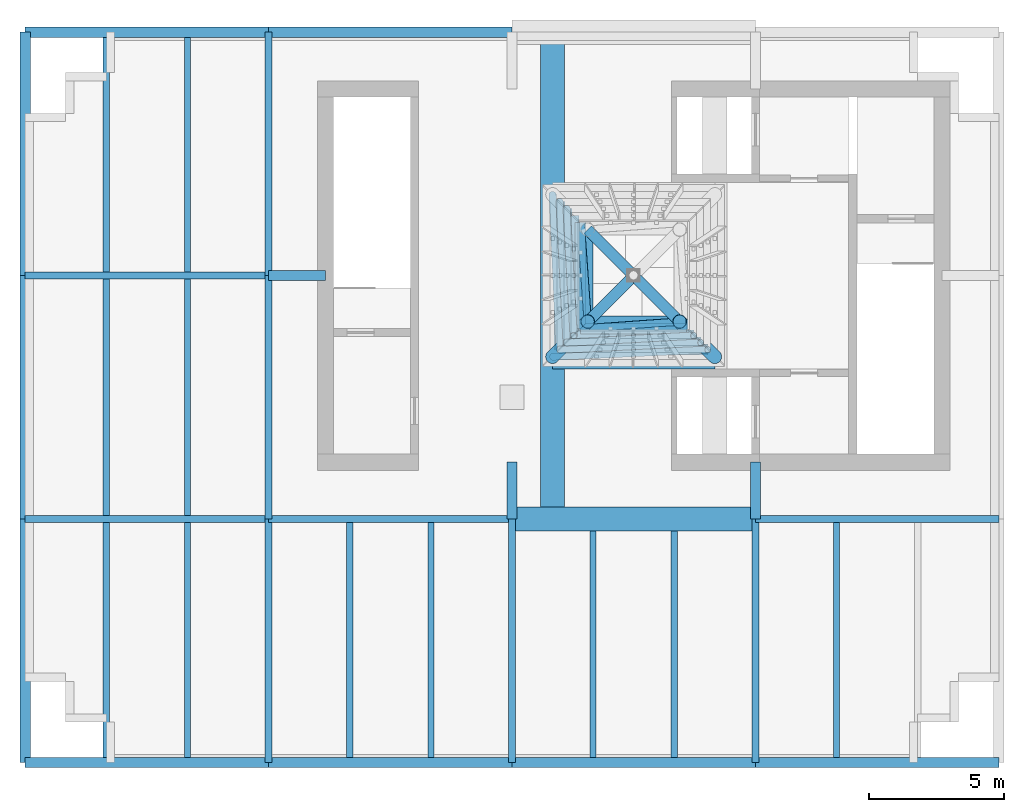
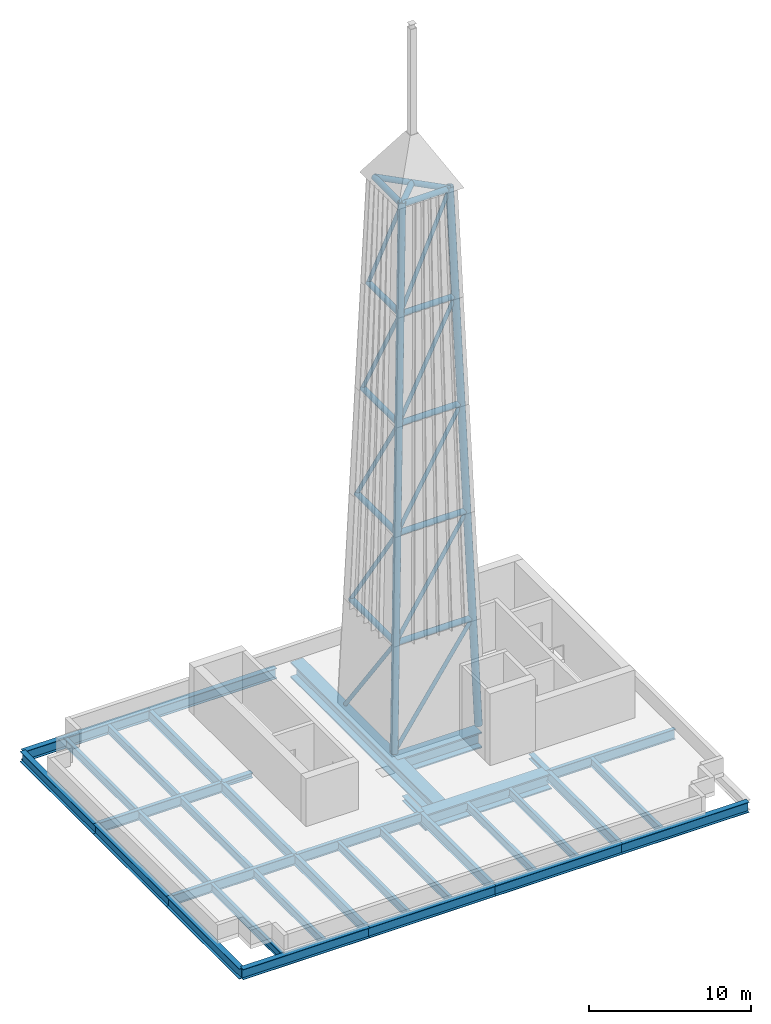
# One storey, part 1 of 8: 32 beams, 28 members.
"""IFC4 building model written with IfcOpenShell, lengths in metres."""

from ifc_helpers import new_model, si_unit, direction, frame, origin, origin_2d, place, context, subcontext, project, spatial, hollow_circle, i_section, extrude, material, material_profile, profile_set, type_object, element, save


model = new_model("IFC4")

# Units and contexts
model_context = context("Model", 3, precision=1e-05, world=origin(), true_north=direction((0.0, 1.0)))
body_context = subcontext(model_context, "Body", "Model", "MODEL_VIEW")
ifc_project = project(units=[si_unit("LENGTHUNIT", "METRE"), si_unit("AREAUNIT", "SQUARE_METRE"), si_unit("VOLUMEUNIT", "CUBIC_METRE"), si_unit("PLANEANGLEUNIT", "RADIAN"), si_unit("MASSUNIT", "GRAM", prefix="KILO")], contexts=[model_context])

# Site, building, storey
site_placement = place(None, origin())
site = spatial("IfcSite", under=ifc_project, at=site_placement, CompositionType="ELEMENT")
building_placement = place(site_placement, origin())
building = spatial("IfcBuilding", under=site, at=building_placement, Name="Loomwork Tower", CompositionType="ELEMENT")
storey_placement = place(building_placement, frame((0.0, 0.0, 279.800048828125)))
storey = spatial("IfcBuildingStorey", under=building, at=storey_placement, Name="RF", CompositionType="ELEMENT", Elevation=279.800048828125)

# Members
ifc_material_1 = material(Name="Steel ASTM A992", Category="steel")
ifc_material_profile_1 = material_profile(ifc_material_1, i_section(OverallWidth=0.373291015625, OverallDepth=0.373291015625, WebThickness=0.016357421875, FlangeThickness=0.026123046875, at=origin_2d()), Name="W14x132")
ifc_profile_set_1 = profile_set([ifc_material_profile_1], Name="Steel ASTM A992")
member_type_1 = type_object("IfcMemberType", Name="CORE LINK STRUT W14x132", PredefinedType="STRUT", material=ifc_profile_set_1)
for number, where, z_axis, x_axis, name in (
    (1, (18.0, 9.0, -0.48681640625), (0.0, 1.0, 0.0), (-1.0, 0.0, 0.0), "Core link strut E/4-18.000,11.100 RF"),
    (2, (9.0, 18.0, -0.48681640625), (1.0, 0.0, 0.0), (0.0, 1.0, 0.0), "Core link strut F/3-11.100,18.000 RF"),
    (3, (27.0, 9.0, -0.48681640625), (0.0, 1.0, 0.0), (-1.0, 0.0, 0.0), "Core link strut E/5-27.000,11.100 RF"),
):
    element("IfcMember", number, at=place(storey_placement, frame(where, z_axis=z_axis, x_axis=x_axis)), inside=storey, type_object=member_type_1, Name=name, PredefinedType="STRUT", context=body_context, shape_type="SweptSolid", body=[
        extrude(i_section(OverallWidth=0.373291015625, OverallDepth=0.373291015625, WebThickness=0.016357421875, FlangeThickness=0.026123046875, at=origin_2d()), origin(), (0.0, 0.0, 1.0), 2.10009765625),
    ])
ifc_material_2 = material(Name="Steel ASTM A500 Grade C", Category="steel")
ifc_material_profile_2 = material_profile(ifc_material_2, hollow_circle(Radius=0.136474609375, WallThickness=0.01171875, at=origin_2d()), Name="HSS10.750x0.500")
ifc_profile_set_2 = profile_set([ifc_material_profile_2], Name="Steel ASTM A500 Grade C")
member_type_2 = type_object("IfcMemberType", Name="CROWN FRAME SPIRE BRACE HSS10.750x0.500", PredefinedType="BRACE", material=ifc_profile_set_2)
for number, where, z_axis, x_axis, name in (
    (4, (19.5, 15.0, 0.0), (0.582762370783, 0.026397938194, 0.812213745303), (-0.045251543525, 0.998975624231, 0.0), "Spire brace 0-8 m side 1"),
    (5, (19.5, 21.0, 0.0), (0.026397938194, -0.582762370783, 0.812213745303), (0.998975624231, 0.045251543525, 0.0), "Spire brace 0-8 m side 4"),
):
    element("IfcMember", number, at=place(storey_placement, frame(where, z_axis=z_axis, x_axis=x_axis)), inside=storey, type_object=member_type_2, Name=name, PredefinedType="BRACE", context=body_context, shape_type="SweptSolid", body=[
        extrude(hollow_circle(Radius=0.136474609375, WallThickness=0.01171875, at=origin_2d()), origin(), (0.0, 0.0, 1.0), 9.849609375),
    ])
for number, where, z_axis, x_axis, name in (
    (6, (19.760009765625, 15.260009765625, 8.0), (0.546254894205, 0.027209272828, 0.83717695025), (-0.049748901873, 0.998761756758, 0.0), "Spire brace 8-16 m side 1"),
    (7, (19.760009765625, 20.739990234375, 8.0), (0.027209272828, -0.546254894205, 0.83717695025), (0.998761756758, 0.049748901873, 0.0), "Spire brace 8-16 m side 4"),
):
    element("IfcMember", number, at=place(storey_placement, frame(where, z_axis=z_axis, x_axis=x_axis)), inside=storey, type_object=member_type_2, Name=name, PredefinedType="BRACE", context=body_context, shape_type="SweptSolid", body=[
        extrude(hollow_circle(Radius=0.136474609375, WallThickness=0.01171875, at=origin_2d()), origin(), (0.0, 0.0, 1.0), 9.555908203125),
    ])
for number, where, z_axis, x_axis, name in (
    (8, (20.02001953125, 15.52001953125, 16.0), (0.506346361587, 0.028011992888, 0.86187510137), (-0.055237339054, 0.998473252708, 0.0), "Spire brace 16-24 m side 1"),
    (9, (20.02001953125, 20.47998046875, 16.0), (0.028011992888, -0.506346361587, 0.86187510137), (0.998473252708, 0.055237339054, 0.0), "Spire brace 16-24 m side 4"),
):
    element("IfcMember", number, at=place(storey_placement, frame(where, z_axis=z_axis, x_axis=x_axis)), inside=storey, type_object=member_type_2, Name=name, PredefinedType="BRACE", context=body_context, shape_type="SweptSolid", body=[
        extrude(hollow_circle(Radius=0.136474609375, WallThickness=0.01171875, at=origin_2d()), origin(), (0.0, 0.0, 1.0), 9.281982421875),
    ])
for number, where, z_axis, x_axis, name in (
    (10, (20.280029296875, 15.780029296875, 24.0), (0.462898031706, 0.028794252892, 0.885943735935), (-0.062084312681, 0.998070908362, 0.0), "Spire brace 24-32 m side 1"),
    (11, (20.280029296875, 20.219970703125, 24.0), (0.028794252892, -0.462898031706, 0.885943735935), (0.998070908362, 0.062084312681, 0.0), "Spire brace 24-32 m side 4"),
):
    element("IfcMember", number, at=place(storey_placement, frame(where, z_axis=z_axis, x_axis=x_axis)), inside=storey, type_object=member_type_2, Name=name, PredefinedType="BRACE", context=body_context, shape_type="SweptSolid", body=[
        extrude(hollow_circle(Radius=0.136474609375, WallThickness=0.01171875, at=origin_2d()), origin(), (0.0, 0.0, 1.0), 9.030029296875),
    ])
for number, where, z_axis, x_axis, name in (
    (12, (20.5400390625, 16.0400390625, 32.0), (0.415838531592, 0.0295422611, 0.908958508653), (-0.070864023346, 0.997485984962, 0.0), "Spire brace 32-40 m side 1"),
    (13, (20.5400390625, 19.9599609375, 32.0), (0.0295422611, -0.415838531592, 0.908958508653), (0.997485984962, 0.070864023346, 0.0), "Spire brace 32-40 m side 4"),
):
    element("IfcMember", number, at=place(storey_placement, frame(where, z_axis=z_axis, x_axis=x_axis)), inside=storey, type_object=member_type_2, Name=name, PredefinedType="BRACE", context=body_context, shape_type="SweptSolid", body=[
        extrude(hollow_circle(Radius=0.136474609375, WallThickness=0.01171875, at=origin_2d()), origin(), (0.0, 0.0, 1.0), 8.80126953125),
    ])
ifc_material_3 = material(Name="Steel ASTM A500 Grade C", Category="steel")
ifc_material_profile_3 = material_profile(ifc_material_3, hollow_circle(Radius=0.25390625, WallThickness=0.01171875, at=origin_2d()), Name="HSS20.000x0.500")
ifc_profile_set_3 = profile_set([ifc_material_profile_3], Name="Steel ASTM A500 Grade C")
member_type_3 = type_object("IfcMemberType", Name="CROWN FRAME SPIRE LEG HSS20.000x0.500", PredefinedType="POST", material=ifc_profile_set_3)
for number, where, z_axis, x_axis, name in (
    (14, (19.5, 15.0, 0.0), (0.03230324804, 0.03230324804, 0.998955955151), (-0.707106781187, 0.707106781187, 0.0), "Spire leg 1"),
    (15, (25.5, 15.0, 0.0), (-0.03230324804, 0.03230324804, 0.998955955151), (-0.707106781187, -0.707106781187, 0.0), "Spire leg 2"),
):
    element("IfcMember", number, at=place(storey_placement, frame(where, z_axis=z_axis, x_axis=x_axis)), inside=storey, type_object=member_type_3, Name=name, PredefinedType="POST", context=body_context, shape_type="SweptSolid", body=[
        extrude(hollow_circle(Radius=0.25390625, WallThickness=0.01171875, at=origin_2d()), origin(), (0.0, 0.0, 1.0), 40.2451171875),
    ])
ifc_material_4 = material(Name="Steel ASTM A500 Grade C", Category="steel")
ifc_material_profile_4 = material_profile(ifc_material_4, hollow_circle(Radius=0.203125, WallThickness=0.01171875, at=origin_2d()), Name="HSS16.000x0.500")
ifc_profile_set_4 = profile_set([ifc_material_profile_4], Name="Steel ASTM A500 Grade C")
member_type_4 = type_object("IfcMemberType", Name="CROWN FRAME SPIRE RING HSS16.000x0.500", PredefinedType="STRUT", material=ifc_profile_set_4)
for number, where, z_axis, x_axis, name in (
    (16, (19.760009765625, 15.260009765625, 8.0), (1.0, 0.0, 0.0), (0.0, 1.0, 0.0), "Spire ring 8 m side 1"),
    (17, (19.760009765625, 20.739990234375, 8.0), (0.0, -1.0, 0.0), (1.0, 0.0, 0.0), "Spire ring 8 m side 4"),
):
    element("IfcMember", number, at=place(storey_placement, frame(where, z_axis=z_axis, x_axis=x_axis)), inside=storey, type_object=member_type_4, Name=name, PredefinedType="STRUT", context=body_context, shape_type="SweptSolid", body=[
        extrude(hollow_circle(Radius=0.203125, WallThickness=0.01171875, at=origin_2d()), origin(), (0.0, 0.0, 1.0), 5.47998046875),
    ])
for number, where, z_axis, x_axis, name in (
    (18, (20.02001953125, 15.52001953125, 16.0), (1.0, 0.0, 0.0), (0.0, 1.0, 0.0), "Spire ring 16 m side 1"),
    (19, (20.02001953125, 20.47998046875, 16.0), (0.0, -1.0, 0.0), (1.0, 0.0, 0.0), "Spire ring 16 m side 4"),
):
    element("IfcMember", number, at=place(storey_placement, frame(where, z_axis=z_axis, x_axis=x_axis)), inside=storey, type_object=member_type_4, Name=name, PredefinedType="STRUT", context=body_context, shape_type="SweptSolid", body=[
        extrude(hollow_circle(Radius=0.203125, WallThickness=0.01171875, at=origin_2d()), origin(), (0.0, 0.0, 1.0), 4.9599609375),
    ])
for number, where, z_axis, x_axis, name in (
    (20, (20.280029296875, 15.780029296875, 24.0), (1.0, 0.0, 0.0), (0.0, 1.0, 0.0), "Spire ring 24 m side 1"),
    (21, (20.280029296875, 20.219970703125, 24.0), (0.0, -1.0, 0.0), (1.0, 0.0, 0.0), "Spire ring 24 m side 4"),
):
    element("IfcMember", number, at=place(storey_placement, frame(where, z_axis=z_axis, x_axis=x_axis)), inside=storey, type_object=member_type_4, Name=name, PredefinedType="STRUT", context=body_context, shape_type="SweptSolid", body=[
        extrude(hollow_circle(Radius=0.203125, WallThickness=0.01171875, at=origin_2d()), origin(), (0.0, 0.0, 1.0), 4.43994140625),
    ])
for number, where, z_axis, x_axis, name in (
    (22, (20.5400390625, 16.0400390625, 32.0), (1.0, 0.0, 0.0), (0.0, 1.0, 0.0), "Spire ring 32 m side 1"),
    (23, (20.5400390625, 19.9599609375, 32.0), (0.0, -1.0, 0.0), (1.0, 0.0, 0.0), "Spire ring 32 m side 4"),
):
    element("IfcMember", number, at=place(storey_placement, frame(where, z_axis=z_axis, x_axis=x_axis)), inside=storey, type_object=member_type_4, Name=name, PredefinedType="STRUT", context=body_context, shape_type="SweptSolid", body=[
        extrude(hollow_circle(Radius=0.203125, WallThickness=0.01171875, at=origin_2d()), origin(), (0.0, 0.0, 1.0), 3.919921875),
    ])
for number, where, z_axis, x_axis, name in (
    (24, (20.800048828125, 16.300048828125, 40.0), (1.0, 0.0, 0.0), (0.0, 1.0, 0.0), "Spire ring 40 m side 1"),
    (25, (20.800048828125, 19.699951171875, 40.0), (0.0, -1.0, 0.0), (1.0, 0.0, 0.0), "Spire ring 40 m side 4"),
):
    element("IfcMember", number, at=place(storey_placement, frame(where, z_axis=z_axis, x_axis=x_axis)), inside=storey, type_object=member_type_4, Name=name, PredefinedType="STRUT", context=body_context, shape_type="SweptSolid", body=[
        extrude(hollow_circle(Radius=0.203125, WallThickness=0.01171875, at=origin_2d()), origin(), (0.0, 0.0, 1.0), 3.39990234375),
    ])
ifc_material_5 = material(Name="Steel ASTM A500 Grade C", Category="steel")
ifc_material_profile_5 = material_profile(ifc_material_5, hollow_circle(Radius=0.203125, WallThickness=0.01171875, at=origin_2d()), Name="HSS16.000x0.500")
ifc_profile_set_5 = profile_set([ifc_material_profile_5], Name="Steel ASTM A500 Grade C")
member_type_5 = type_object("IfcMemberType", Name="CROWN FRAME SPIRE SEAT STRUT HSS16.000x0.500", PredefinedType="STRUT", material=ifc_profile_set_5)
for number, where, z_axis, x_axis, name in (
    (26, (20.800048828125, 16.300048828125, 40.0), (0.707106781187, 0.707106781187, 0.0), (-0.707106781187, 0.707106781187, 0.0), "Spire mast seat strut 1"),
    (27, (24.199951171875, 16.300048828125, 40.0), (-0.707106781187, 0.707106781187, 0.0), (-0.707106781187, -0.707106781187, 0.0), "Spire mast seat strut 2"),
    (28, (20.800048828125, 19.699951171875, 40.0), (0.707106781187, -0.707106781187, 0.0), (0.707106781187, 0.707106781187, 0.0), "Spire mast seat strut 4"),
):
    element("IfcMember", number, at=place(storey_placement, frame(where, z_axis=z_axis, x_axis=x_axis)), inside=storey, type_object=member_type_5, Name=name, PredefinedType="STRUT", context=body_context, shape_type="SweptSolid", body=[
        extrude(hollow_circle(Radius=0.203125, WallThickness=0.01171875, at=origin_2d()), origin(), (0.0, 0.0, 1.0), 2.404052734375),
    ])

# Beams
ifc_material_6 = material(Name="Steel ASTM A992", Category="steel")
ifc_material_profile_6 = material_profile(ifc_material_6, i_section(OverallWidth=0.2666015625, OverallDepth=0.761962890625, WebThickness=0.014404296875, FlangeThickness=0.021484375, at=origin_2d()), Name="W30x116")
ifc_profile_set_6 = profile_set([ifc_material_profile_6], Name="Steel ASTM A992")
beam_type_1 = type_object("IfcBeamType", Name="ROOF GIRDER W30x116", PredefinedType="BEAM", material=ifc_profile_set_6)
for number, where, z_axis, x_axis, name in (
    (29, (0.0, 9.0, -0.68115234375), (1.0, 0.0, 0.0), (0.0, 1.0, 0.0), "Roof Girder E/2-E/3 RF"),
    (30, (9.0, 9.0, -0.68115234375), (1.0, 0.0, 0.0), (0.0, 1.0, 0.0), "Roof Girder E/3-E/4 RF"),
    (31, (27.0, 9.0, -0.68115234375), (1.0, 0.0, 0.0), (0.0, 1.0, 0.0), "Roof Girder E/5-E/6 RF"),
    (32, (0.0, 18.0, -0.68115234375), (1.0, 0.0, 0.0), (0.0, 1.0, 0.0), "Roof Girder F/2-F/3 RF"),
    (33, (9.0, 0.0, -0.68115234375), (0.0, 1.0, 0.0), (-1.0, 0.0, 0.0), "Roof Girder D/3-E/3 RF"),
    (34, (9.0, 9.0, -0.68115234375), (0.0, 1.0, 0.0), (-1.0, 0.0, 0.0), "Roof Girder E/3-F/3 RF"),
    (35, (9.0, 18.0, -0.68115234375), (0.0, 1.0, 0.0), (-1.0, 0.0, 0.0), "Roof Girder F/3-G/3 RF"),
    (36, (18.0, 0.0, -0.68115234375), (0.0, 1.0, 0.0), (-1.0, 0.0, 0.0), "Roof Girder D/4-E/4 RF"),
    (37, (27.0, 0.0, -0.68115234375), (0.0, 1.0, 0.0), (-1.0, 0.0, 0.0), "Roof Girder D/5-E/5 RF"),
):
    element("IfcBeam", number, at=place(storey_placement, frame(where, z_axis=z_axis, x_axis=x_axis)), inside=storey, type_object=beam_type_1, Name=name, PredefinedType="BEAM", context=body_context, shape_type="SweptSolid", body=[
        extrude(i_section(OverallWidth=0.2666015625, OverallDepth=0.761962890625, WebThickness=0.014404296875, FlangeThickness=0.021484375, at=origin_2d()), origin(), (0.0, 0.0, 1.0), 9.0),
    ])
ifc_material_7 = material(Name="Steel ASTM A992", Category="steel")
ifc_material_profile_7 = material_profile(ifc_material_7, i_section(OverallWidth=0.228271484375, OverallDepth=0.607177734375, WebThickness=0.01123046875, FlangeThickness=0.017333984375, at=origin_2d()), Name="W24x76")
ifc_profile_set_7 = profile_set([ifc_material_profile_7], Name="Steel ASTM A992")
beam_type_2 = type_object("IfcBeamType", Name="ROOF JOIST W24x76", PredefinedType="JOIST", material=ifc_profile_set_7)
for number, where, z_axis, x_axis, name in (
    (38, (3.0, 0.18994140625, -0.603515625), (0.0, 1.0, 0.0), (-1.0, 0.0, 0.0), "Roof Joist 3.000,0.000-3.000,9.000 RF"),
    (39, (6.0, 0.18994140625, -0.603515625), (0.0, 1.0, 0.0), (-1.0, 0.0, 0.0), "Roof Joist 6.000,0.000-6.000,9.000 RF"),
):
    element("IfcBeam", number, at=place(storey_placement, frame(where, z_axis=z_axis, x_axis=x_axis)), inside=storey, type_object=beam_type_2, Name=name, PredefinedType="JOIST", context=body_context, shape_type="SweptSolid", body=[
        extrude(i_section(OverallWidth=0.228271484375, OverallDepth=0.607177734375, WebThickness=0.01123046875, FlangeThickness=0.017333984375, at=origin_2d()), origin(), (0.0, 0.0, 1.0), 8.677001953125),
    ])
for number, where, z_axis, x_axis, name in (
    (40, (3.0, 9.133056640625, -0.603515625), (0.0, 1.0, 0.0), (-1.0, 0.0, 0.0), "Roof Joist 3.000,9.000-3.000,18.000 RF"),
    (41, (6.0, 9.133056640625, -0.603515625), (0.0, 1.0, 0.0), (-1.0, 0.0, 0.0), "Roof Joist 6.000,9.000-6.000,18.000 RF"),
):
    element("IfcBeam", number, at=place(storey_placement, frame(where, z_axis=z_axis, x_axis=x_axis)), inside=storey, type_object=beam_type_2, Name=name, PredefinedType="JOIST", context=body_context, shape_type="SweptSolid", body=[
        extrude(i_section(OverallWidth=0.228271484375, OverallDepth=0.607177734375, WebThickness=0.01123046875, FlangeThickness=0.017333984375, at=origin_2d()), origin(), (0.0, 0.0, 1.0), 8.73388671875),
    ])
for number, where, z_axis, x_axis, name in (
    (42, (3.0, 18.133056640625, -0.603515625), (0.0, 1.0, 0.0), (-1.0, 0.0, 0.0), "Roof Joist 3.000,18.000-3.000,27.000 RF"),
    (43, (6.0, 18.133056640625, -0.603515625), (0.0, 1.0, 0.0), (-1.0, 0.0, 0.0), "Roof Joist 6.000,18.000-6.000,27.000 RF"),
    (44, (12.0, 0.18994140625, -0.603515625), (0.0, 1.0, 0.0), (-1.0, 0.0, 0.0), "Roof Joist 12.000,0.000-12.000,9.000 RF"),
    (45, (15.0, 0.18994140625, -0.603515625), (0.0, 1.0, 0.0), (-1.0, 0.0, 0.0), "Roof Joist 15.000,0.000-15.000,9.000 RF"),
):
    element("IfcBeam", number, at=place(storey_placement, frame(where, z_axis=z_axis, x_axis=x_axis)), inside=storey, type_object=beam_type_2, Name=name, PredefinedType="JOIST", context=body_context, shape_type="SweptSolid", body=[
        extrude(i_section(OverallWidth=0.228271484375, OverallDepth=0.607177734375, WebThickness=0.01123046875, FlangeThickness=0.017333984375, at=origin_2d()), origin(), (0.0, 0.0, 1.0), 8.677001953125),
    ])
for number, where, z_axis, x_axis, name in (
    (46, (21.0, 0.18994140625, -0.603515625), (0.0, 1.0, 0.0), (-1.0, 0.0, 0.0), "Roof Joist 21.000,0.000-21.000,9.000 RF"),
    (47, (24.0, 0.18994140625, -0.603515625), (0.0, 1.0, 0.0), (-1.0, 0.0, 0.0), "Roof Joist 24.000,0.000-24.000,9.000 RF"),
):
    element("IfcBeam", number, at=place(storey_placement, frame(where, z_axis=z_axis, x_axis=x_axis)), inside=storey, type_object=beam_type_2, Name=name, PredefinedType="JOIST", context=body_context, shape_type="SweptSolid", body=[
        extrude(i_section(OverallWidth=0.228271484375, OverallDepth=0.607177734375, WebThickness=0.01123046875, FlangeThickness=0.017333984375, at=origin_2d()), origin(), (0.0, 0.0, 1.0), 8.360107421875),
    ])
beam_1_placement = place(storey_placement, frame((30.0, 0.18994140625, -0.603515625), z_axis=(0.0, 1.0, 0.0), x_axis=(-1.0, 0.0, 0.0)))
element("IfcBeam", 48, at=beam_1_placement, inside=storey, type_object=beam_type_2, Name="Roof Joist 30.000,0.000-30.000,9.000 RF", PredefinedType="JOIST", context=body_context, shape_type="SweptSolid", body=[
    extrude(i_section(OverallWidth=0.228271484375, OverallDepth=0.607177734375, WebThickness=0.01123046875, FlangeThickness=0.017333984375, at=origin_2d()), origin(), (0.0, 0.0, 1.0), 8.677001953125),
])
ifc_material_8 = material(Name="Steel ASTM A992", Category="steel")
ifc_material_profile_8 = material_profile(ifc_material_8, i_section(OverallWidth=0.381103515625, OverallDepth=0.77978515625, WebThickness=0.01806640625, FlangeThickness=0.0302734375, at=origin_2d()), Name="W30x191")
ifc_profile_set_8 = profile_set([ifc_material_profile_8], Name="Steel ASTM A992")
beam_type_3 = type_object("IfcBeamType", Name="SPANDREL GIRDER W30x191", PredefinedType="SPANDREL", material=ifc_profile_set_8)
for number, where, z_axis, x_axis, name in (
    (49, (0.0, 0.0, -0.68994140625), (1.0, 0.0, 0.0), (0.0, 1.0, 0.0), "Spandrel Girder D/2-D/3 RF"),
    (50, (9.0, 0.0, -0.68994140625), (1.0, 0.0, 0.0), (0.0, 1.0, 0.0), "Spandrel Girder D/3-D/4 RF"),
    (51, (18.0, 0.0, -0.68994140625), (1.0, 0.0, 0.0), (0.0, 1.0, 0.0), "Spandrel Girder D/4-D/5 RF"),
    (52, (27.0, 0.0, -0.68994140625), (1.0, 0.0, 0.0), (0.0, 1.0, 0.0), "Spandrel Girder D/5-D/6 RF"),
    (53, (0.0, 27.0, -0.68994140625), (1.0, 0.0, 0.0), (0.0, 1.0, 0.0), "Spandrel Girder G/2-G/3 RF"),
    (54, (9.0, 27.0, -0.68994140625), (1.0, 0.0, 0.0), (0.0, 1.0, 0.0), "Spandrel Girder G/3-G/4 RF"),
    (55, (0.0, 0.0, -0.68994140625), (0.0, 1.0, 0.0), (-1.0, 0.0, 0.0), "Spandrel Girder D/2-E/2 RF"),
    (56, (0.0, 9.0, -0.68994140625), (0.0, 1.0, 0.0), (-1.0, 0.0, 0.0), "Spandrel Girder E/2-F/2 RF"),
    (57, (0.0, 18.0, -0.68994140625), (0.0, 1.0, 0.0), (-1.0, 0.0, 0.0), "Spandrel Girder F/2-G/2 RF"),
):
    element("IfcBeam", number, at=place(storey_placement, frame(where, z_axis=z_axis, x_axis=x_axis)), inside=storey, type_object=beam_type_3, Name=name, PredefinedType="SPANDREL", context=body_context, shape_type="SweptSolid", body=[
        extrude(i_section(OverallWidth=0.381103515625, OverallDepth=0.77978515625, WebThickness=0.01806640625, FlangeThickness=0.0302734375, at=origin_2d()), origin(), (0.0, 0.0, 1.0), 9.0),
    ])
ifc_material_9 = material(Name="Steel ASTM A572 Grade 50 plate", Category="steel")
ifc_material_profile_9 = material_profile(ifc_material_9, i_section(OverallWidth=0.89990234375, OverallDepth=1.179931640625, WebThickness=0.030029296875, FlangeThickness=0.10009765625, at=origin_2d()), Name="PG1180x900")
ifc_profile_set_9 = profile_set([ifc_material_profile_9], Name="Steel ASTM A572 Grade 50 plate")
beam_type_4 = type_object("IfcBeamType", Name="SPIRE BASE GIRDER PG1180x900", PredefinedType="BEAM", material=ifc_profile_set_9)
beam_2_placement = place(storey_placement, frame((19.5, 9.0, -0.89013671875), z_axis=(0.0, 1.0, 0.0), x_axis=(-1.0, 0.0, 0.0)))
element("IfcBeam", 58, at=beam_2_placement, inside=storey, type_object=beam_type_4, Name="Spire base girder x 19.5", PredefinedType="BEAM", context=body_context, shape_type="SweptSolid", body=[
    extrude(i_section(OverallWidth=0.89990234375, OverallDepth=1.179931640625, WebThickness=0.030029296875, FlangeThickness=0.10009765625, at=origin_2d()), origin(), (0.0, 0.0, 1.0), 18.0),
])
beam_3_placement = place(storey_placement, frame((19.5, 15.0, -0.89013671875), z_axis=(1.0, 0.0, 0.0), x_axis=(0.0, 1.0, 0.0)))
element("IfcBeam", 59, at=beam_3_placement, inside=storey, type_object=beam_type_4, Name="Spire base girder y 15", PredefinedType="BEAM", context=body_context, shape_type="SweptSolid", body=[
    extrude(i_section(OverallWidth=0.89990234375, OverallDepth=1.179931640625, WebThickness=0.030029296875, FlangeThickness=0.10009765625, at=origin_2d()), origin(), (0.0, 0.0, 1.0), 6.0),
])
ifc_material_10 = material(Name="Steel ASTM A572 Grade 50 plate", Category="steel")
ifc_material_profile_10 = material_profile(ifc_material_10, i_section(OverallWidth=0.89990234375, OverallDepth=1.179931640625, WebThickness=0.030029296875, FlangeThickness=0.10009765625, at=origin_2d()), Name="PG1180x900")
ifc_profile_set_10 = profile_set([ifc_material_profile_10], Name="Steel ASTM A572 Grade 50 plate")
beam_type_5 = type_object("IfcBeamType", Name="SPIRE CARRIER GIRDER PG1180x900", PredefinedType="BEAM", material=ifc_profile_set_10)
beam_4_placement = place(storey_placement, frame((18.0, 9.0, -0.89013671875), z_axis=(1.0, 0.0, 0.0), x_axis=(0.0, 1.0, 0.0)))
element("IfcBeam", 60, at=beam_4_placement, inside=storey, type_object=beam_type_5, Name="Spire Carrier Girder E/4-E/5 RF", PredefinedType="BEAM", context=body_context, shape_type="SweptSolid", body=[
    extrude(i_section(OverallWidth=0.89990234375, OverallDepth=1.179931640625, WebThickness=0.030029296875, FlangeThickness=0.10009765625, at=origin_2d()), origin(), (0.0, 0.0, 1.0), 9.0),
])

save(model, "model.ifc")
